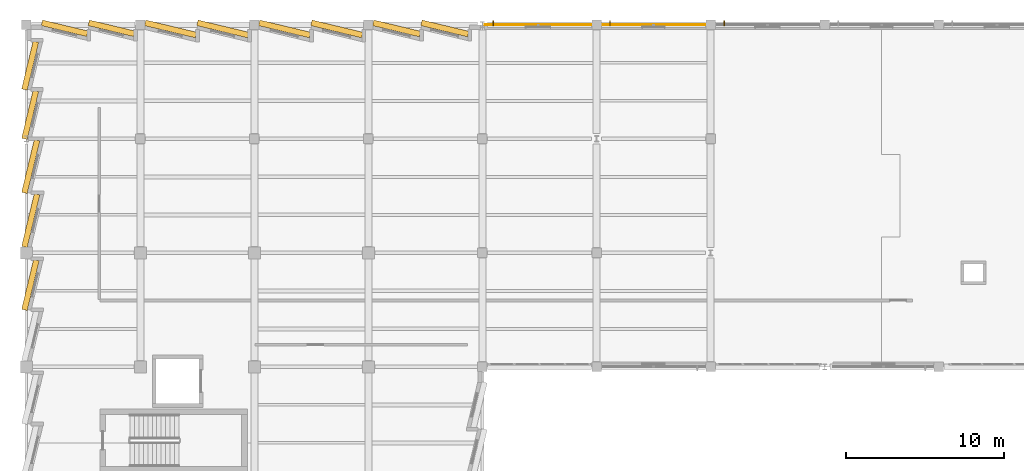
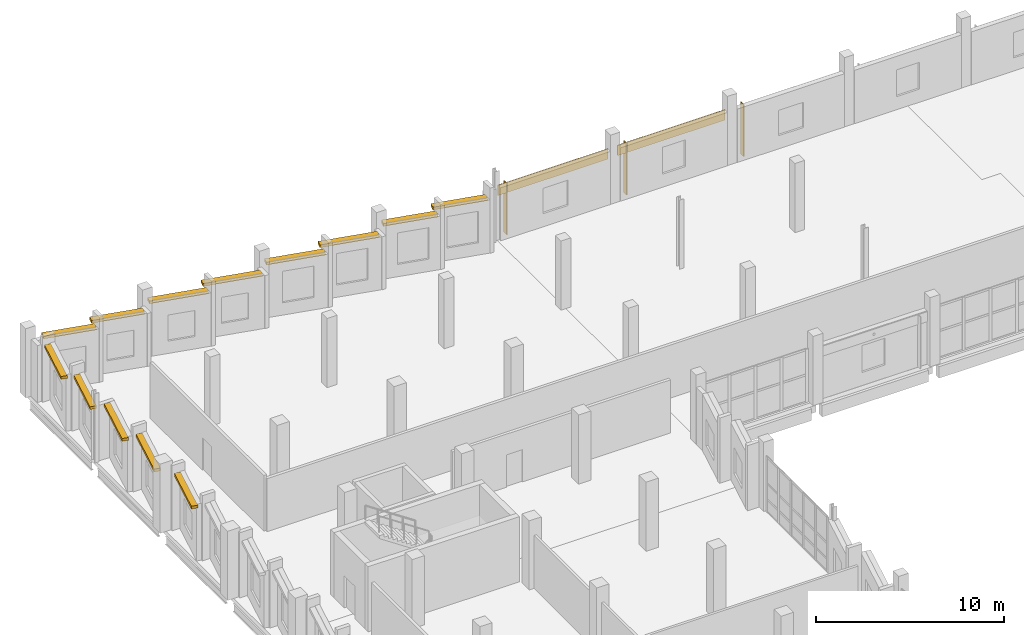
# One storey, part 114 of 123: 16 shading devices, 2 coverings.
"""IFC4 building model written with IfcOpenShell, lengths in metres."""

from ifc_helpers import new_model, si_unit, direction, frame, origin, origin_2d, place, context, subcontext, project, spatial, rectangle, extrude, material, layer, layer_set, type_object, element, save


model = new_model("IFC4")

# Units and contexts
model_context = context("Model", 3, precision=1e-05, world=origin(), true_north=direction((0.0, 1.0)))
body_context = subcontext(model_context, "Body", "Model", "MODEL_VIEW")
ifc_project = project(units=[si_unit("LENGTHUNIT", "METRE"), si_unit("AREAUNIT", "SQUARE_METRE"), si_unit("VOLUMEUNIT", "CUBIC_METRE"), si_unit("PLANEANGLEUNIT", "RADIAN"), si_unit("MASSUNIT", "GRAM", prefix="KILO")], contexts=[model_context])

# Site, building, storey
site_placement = place(None, origin())
site = spatial("IfcSite", under=ifc_project, at=site_placement, CompositionType="ELEMENT")
building_placement = place(site_placement, origin())
building = spatial("IfcBuilding", under=site, at=building_placement, Name="Kalmorath City Hall", CompositionType="ELEMENT")
storey_placement = place(building_placement, frame((0.0, 0.0, 10.199951171875)))
storey = spatial("IfcBuildingStorey", under=building, at=storey_placement, Name="L02", CompositionType="ELEMENT", Elevation=10.199951171875)

# Shading devices
ifc_material_1 = material(Name="Bronze anodised aluminium", Category="aluminium")
ifc_layer_1 = layer(ifc_material_1, 0.06005859375)
ifc_layer_set_1 = layer_set([ifc_layer_1], Name="Bronze anodised aluminium")
shading_device_type_1 = type_object("IfcShadingDeviceType", Name="Bronze vertical solar fin 320", PredefinedType="USERDEFINED", material=ifc_layer_set_1)
shading_device_1_placement = place(storey_placement, frame((29.47802734375, 115.300048828125, 0.050048828125), z_axis=(0.0, 0.0, 1.0), x_axis=(1.0, 0.0, 0.0)))
element("IfcShadingDevice", 1, at=shading_device_1_placement, inside=storey, type_object=shading_device_type_1, Name="L02 bronze solar fin #225", ObjectType="FIN", PredefinedType="USERDEFINED", context=body_context, shape_type="SweptSolid", body=[
    extrude(rectangle(XDim=0.06005859375, YDim=0.320068359375, at=origin_2d()), origin(), (0.0, 0.0, 1.0), 3.35107421875),
])
for number, where, z_axis, x_axis, name in (
    (2, (36.85107421875, 115.300048828125, 0.050048828125), (0.0, 0.0, 1.0), (1.0, 0.0, 0.0), "L02 bronze solar fin #226"),
    (3, (44.051025390625, 115.300048828125, 0.050048828125), (0.0, 0.0, 1.0), (1.0, 0.0, 0.0), "L02 bronze solar fin #227"),
):
    element("IfcShadingDevice", number, at=place(storey_placement, frame(where, z_axis=z_axis, x_axis=x_axis)), inside=storey, type_object=shading_device_type_1, Name=name, ObjectType="FIN", PredefinedType="USERDEFINED", context=body_context, shape_type="SweptSolid", body=[
        extrude(rectangle(XDim=0.06005859375, YDim=0.320068359375, at=origin_2d()), origin(), (0.0, 0.0, 1.0), 3.37109375),
    ])
ifc_material_2 = material(Name="Precast concrete C40/50", Category="concrete")
ifc_layer_2 = layer(ifc_material_2, 0.179931640625)
ifc_layer_set_2 = layer_set([ifc_layer_2], Name="Precast concrete C40/50")
shading_device_type_2 = type_object("IfcShadingDeviceType", Name="Precast sawtooth brow sunshade 350", PredefinedType="USERDEFINED", material=ifc_layer_set_2)
shading_device_2_placement = place(storey_placement, frame((0.255859375, 98.765869140625, 3.48583984375), z_axis=(0.0, 0.0, 1.0), x_axis=(0.233445363856, 0.972369920398, 0.0)))
element("IfcShadingDevice", 4, at=shading_device_2_placement, inside=storey, type_object=shading_device_type_2, Name="L02 precast sawtooth hood #212", ObjectType="SUNSHADE", PredefinedType="USERDEFINED", context=body_context, shape_type="SweptSolid", body=[
    extrude(rectangle(XDim=3.220703125, YDim=0.360107421875, at=origin_2d()), origin(), (0.0, 0.0, 1.0), 0.179931640625),
])
for number, where, z_axis, x_axis, name in (
    (5, (0.278564453125, 102.835693359375, 3.48583984375), (0.0, 0.0, 1.0), (0.233428392764, 0.97237399464, 0.0), "L02 precast sawtooth hood #213"),
    (6, (0.278564453125, 106.247802734375, 3.408203125), (0.0, 0.0, 1.0), (0.233428392764, 0.97237399464, 0.0), "L02 precast sawtooth hood #214"),
):
    element("IfcShadingDevice", number, at=place(storey_placement, frame(where, z_axis=z_axis, x_axis=x_axis)), inside=storey, type_object=shading_device_type_2, Name=name, ObjectType="SUNSHADE", PredefinedType="USERDEFINED", context=body_context, shape_type="SweptSolid", body=[
        extrude(rectangle(XDim=3.413818359375, YDim=0.360107421875, at=origin_2d()), origin(), (0.0, 0.0, 1.0), 0.179931640625),
    ])
for number, where, z_axis, x_axis, name in (
    (7, (0.2421875, 109.508544921875, 3.408203125), (0.0, 0.0, 1.0), (0.233445363856, 0.972369920398, 0.0), "L02 precast sawtooth hood #215"),
    (8, (0.2421875, 112.6181640625, 3.48583984375), (0.0, 0.0, 1.0), (0.233445363856, 0.972369920398, 0.0), "L02 precast sawtooth hood #216"),
):
    element("IfcShadingDevice", number, at=place(storey_placement, frame(where, z_axis=z_axis, x_axis=x_axis)), inside=storey, type_object=shading_device_type_2, Name=name, ObjectType="SUNSHADE", PredefinedType="USERDEFINED", context=body_context, shape_type="SweptSolid", body=[
        extrude(rectangle(XDim=3.102783203125, YDim=0.360107421875, at=origin_2d()), origin(), (0.0, 0.0, 1.0), 0.179931640625),
    ])
for number, where, z_axis, x_axis, name in (
    (9, (2.414306640625, 114.975830078125, 3.26123046875), (0.0, 0.0, 1.0), (0.972369920398, -0.233445363856, 0.0), "L02 precast sawtooth hood #217"),
    (10, (5.373291015625, 114.975830078125, 3.2412109375), (0.0, 0.0, 1.0), (0.972369920398, -0.233445363856, 0.0), "L02 precast sawtooth hood #218"),
):
    element("IfcShadingDevice", number, at=place(storey_placement, frame(where, z_axis=z_axis, x_axis=x_axis)), inside=storey, type_object=shading_device_type_2, Name=name, ObjectType="SUNSHADE", PredefinedType="USERDEFINED", context=body_context, shape_type="SweptSolid", body=[
        extrude(rectangle(XDim=2.947998046875, YDim=0.360107421875, at=origin_2d()), origin(), (0.0, 0.0, 1.0), 0.179931640625),
    ])
for number, where, z_axis, x_axis, name in (
    (11, (9.104248046875, 114.93505859375, 3.26123046875), (0.0, 0.0, 1.0), (0.972369920398, -0.233445363856, 0.0), "L02 precast sawtooth hood #219"),
    (12, (12.4033203125, 114.93505859375, 3.2412109375), (0.0, 0.0, 1.0), (0.972369920398, -0.233445363856, 0.0), "L02 precast sawtooth hood #220"),
    (13, (16.30419921875, 114.93505859375, 3.26123046875), (0.0, 0.0, 1.0), (0.972369920398, -0.233445363856, 0.0), "L02 precast sawtooth hood #221"),
    (14, (19.603271484375, 114.93505859375, 3.2412109375), (0.0, 0.0, 1.0), (0.972369920398, -0.233445363856, 0.0), "L02 precast sawtooth hood #222"),
):
    element("IfcShadingDevice", number, at=place(storey_placement, frame(where, z_axis=z_axis, x_axis=x_axis)), inside=storey, type_object=shading_device_type_2, Name=name, ObjectType="SUNSHADE", PredefinedType="USERDEFINED", context=body_context, shape_type="SweptSolid", body=[
        extrude(rectangle(XDim=3.297607421875, YDim=0.360107421875, at=origin_2d()), origin(), (0.0, 0.0, 1.0), 0.179931640625),
    ])
for number, where, z_axis, x_axis, name in (
    (15, (23.377685546875, 114.965576171875, 3.26123046875), (0.0, 0.0, 1.0), (0.972365845859, -0.233462334877, 0.0), "L02 precast sawtooth hood #223"),
    (16, (26.423095703125, 114.965576171875, 3.26123046875), (0.0, 0.0, 1.0), (0.972365845859, -0.233462334877, 0.0), "L02 precast sawtooth hood #224"),
):
    element("IfcShadingDevice", number, at=place(storey_placement, frame(where, z_axis=z_axis, x_axis=x_axis)), inside=storey, type_object=shading_device_type_2, Name=name, ObjectType="SUNSHADE", PredefinedType="USERDEFINED", context=body_context, shape_type="SweptSolid", body=[
        extrude(rectangle(XDim=3.037109375, YDim=0.360107421875, at=origin_2d()), origin(), (0.0, 0.0, 1.0), 0.179931640625),
    ])

# Coverings
ifc_material_3 = material(Name="Volcanic basalt stone cladding", Category="masonry")
ifc_layer_3 = layer(ifc_material_3, 0.06005859375)
ifc_layer_set_3 = layer_set([ifc_layer_3], Name="Volcanic basalt stone cladding")
covering_type = type_object("IfcCoveringType", Name="Volcanic basalt stone rainscreen cladding", PredefinedType="CLADDING", material=ifc_layer_set_3)
covering_1_placement = place(storey_placement, frame((32.3134765625, 115.205078125, 2.776123046875), z_axis=(0.0, 0.0, 1.0), x_axis=(1.0, 0.0, 0.0)))
element("IfcCovering", 17, at=covering_1_placement, inside=storey, type_object=covering_type, Name="L02 basalt spandrel cladding #39", PredefinedType="CLADDING", context=body_context, shape_type="SweptSolid", body=[
    extrude(rectangle(XDim=6.77099609375, YDim=0.06005859375, at=origin_2d()), origin(), (0.0, 0.0, 1.0), 0.64990234375),
])
covering_2_placement = place(storey_placement, frame((39.60009765625, 115.205078125, 2.796142578125), z_axis=(0.0, 0.0, 1.0), x_axis=(1.0, 0.0, 0.0)))
element("IfcCovering", 18, at=covering_2_placement, inside=storey, type_object=covering_type, Name="L02 basalt spandrel cladding #40", PredefinedType="CLADDING", context=body_context, shape_type="SweptSolid", body=[
    extrude(rectangle(XDim=6.597900390625, YDim=0.06005859375, at=origin_2d()), origin(), (0.0, 0.0, 1.0), 0.64990234375),
])

save(model, "model.ifc")
